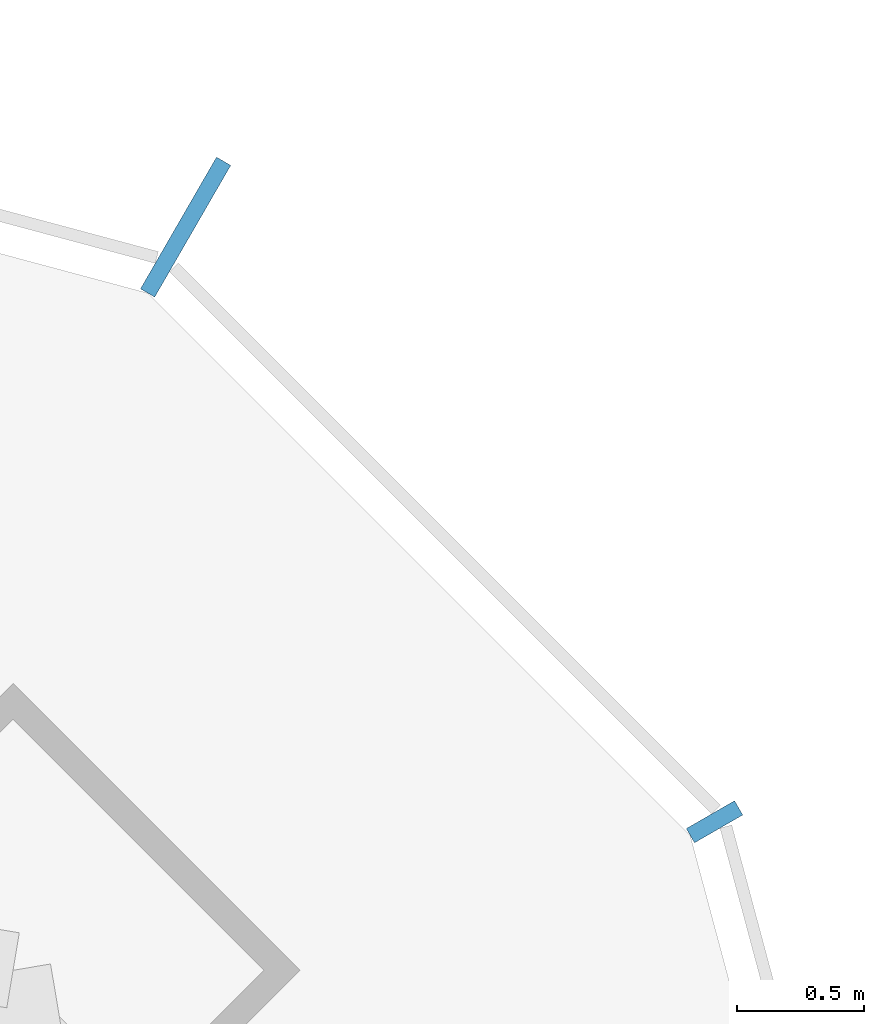
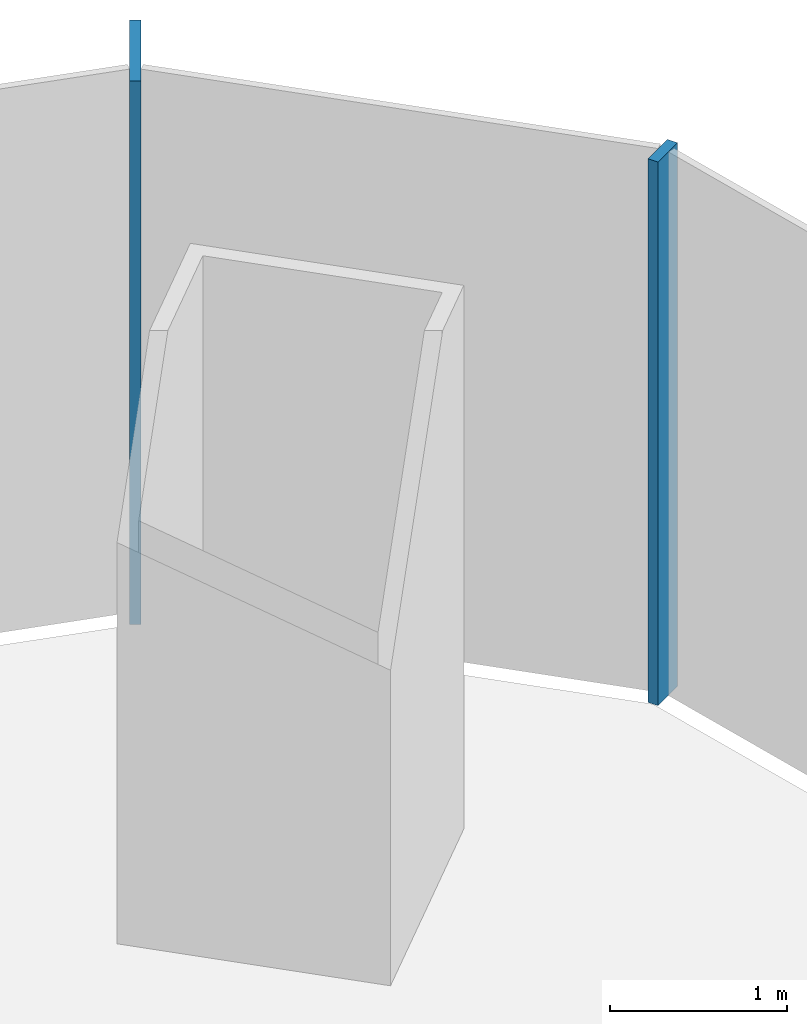
# One storey, part 8 of 20: 2 members, 1 element without a shape of its own.
"""IFC4 building model written with IfcOpenShell, lengths in metres."""

from ifc_helpers import new_model, si_unit, direction, frame, origin, origin_2d, place, context, subcontext, project, spatial, rectangle, extrude, material, material_profile, profile_set, type_object, element, aggregate, save


model = new_model("IFC4")

# Units and contexts
model_context = context("Model", 3, precision=1e-05, world=origin(), true_north=direction((0.0, 1.0)))
body_context = subcontext(model_context, "Body", "Model", "MODEL_VIEW")
ifc_project = project(units=[si_unit("LENGTHUNIT", "METRE"), si_unit("AREAUNIT", "SQUARE_METRE"), si_unit("VOLUMEUNIT", "CUBIC_METRE"), si_unit("PLANEANGLEUNIT", "RADIAN"), si_unit("MASSUNIT", "GRAM", prefix="KILO")], contexts=[model_context])

# Site, building, storey
site_placement = place(None, origin())
site = spatial("IfcSite", under=ifc_project, at=site_placement, CompositionType="ELEMENT")
building_placement = place(site_placement, origin())
building = spatial("IfcBuilding", under=site, at=building_placement, Name="Khuree Lantern Residences", CompositionType="ELEMENT")
storey_placement = place(building_placement, frame((0.0, 0.0, 24.75)))
storey = spatial("IfcBuildingStorey", under=building, at=storey_placement, Name="L05", CompositionType="ELEMENT", Elevation=24.75)

# Curtain wall, members
ifc_material = material(Name="Bronze anodised aluminium", Category="aluminium")
curtain_wall_type = type_object("IfcCurtainWallType", Name="CW-T2 TOWER CORNER CURTAIN WALL", PredefinedType="USERDEFINED", material=ifc_material)
curtain_wall_placement = place(storey_placement, origin())
curtain_wall = element("IfcCurtainWall", 1, at=curtain_wall_placement, inside=storey, type_object=curtain_wall_type, Name="L05 NORTH-EAST CORNER CURTAIN WALL", ObjectType="Faceted corner curtain wall", PredefinedType="USERDEFINED")
ifc_material_profile_1 = material_profile(ifc_material, rectangle(XDim=0.06494140625, YDim=0.60009765625, at=origin_2d()), Name="F1 65X600")
ifc_profile_set_1 = profile_set([ifc_material_profile_1], Name="Bronze anodised aluminium")
member_type_1 = type_object("IfcMemberType", Name="F1 BRONZE FIN MULLION TOWER 65X600", PredefinedType="MULLION", material=ifc_profile_set_1)
member_1_placement = place(storey_placement, frame((29.074951171875, 31.326171875, 0.0), z_axis=(0.0, 0.0, 1.0), x_axis=(-0.86602537092, 0.500000056923, 0.0)))
member_1 = element("IfcMember", 2, at=member_1_placement, type_object=member_type_1, Name="L05 NORTH-EAST CORNER FIN MULLION 17", PredefinedType="MULLION", context=body_context, shape_type="SweptSolid", body=[
    extrude(rectangle(XDim=0.06494140625, YDim=0.60009765625, at=origin_2d()), origin(), (0.0, 0.0, 1.0), 3.75),
])
ifc_material_profile_2 = material_profile(ifc_material, rectangle(XDim=0.06494140625, YDim=0.219970703125, at=origin_2d()), Name="M1 65X220")
ifc_profile_set_2 = profile_set([ifc_material_profile_2], Name="Bronze anodised aluminium")
member_type_2 = type_object("IfcMemberType", Name="M1 BRONZE MULLION TOWER 65X220", PredefinedType="MULLION", material=ifc_profile_set_2)
member_2_placement = place(storey_placement, frame((31.16162109375, 28.97998046875, 0.0), z_axis=(0.0, 0.0, 1.0), x_axis=(-0.500000056923, 0.86602537092, 0.0)))
member_2 = element("IfcMember", 3, at=member_2_placement, type_object=member_type_2, Name="L05 NORTH-EAST CORNER MULLION 16", PredefinedType="MULLION", context=body_context, shape_type="SweptSolid", body=[
    extrude(rectangle(XDim=0.06494140625, YDim=0.219970703125, at=origin_2d()), origin(), (0.0, 0.0, 1.0), 3.75),
])
aggregate(curtain_wall, [member_2, member_1])

save(model, "model.ifc")
